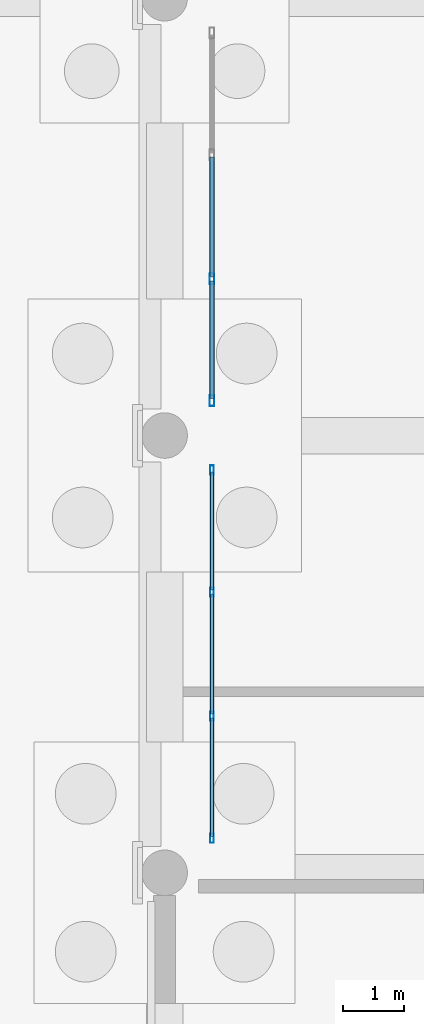
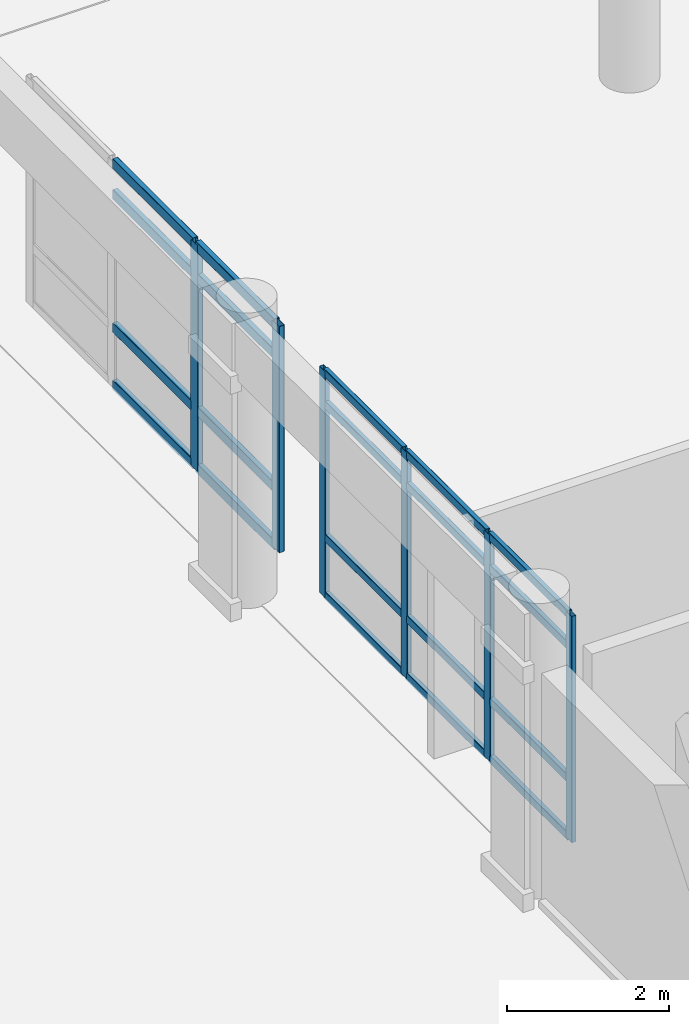
# One storey, part 70 of 196: 26 members, 2 elements without a shape of their own.
"""IFC4 building model written with IfcOpenShell, lengths in metres."""

from ifc_helpers import new_model, si_unit, direction, frame, origin, origin_2d, place, context, subcontext, project, spatial, hollow_rectangle, extrude, material, layer, layer_set, material_profile, profile_set, type_object, element, aggregate, save


model = new_model("IFC4")

# Units and contexts
model_context = context("Model", 3, precision=1e-05, world=origin(), true_north=direction((0.0, 1.0)))
body_context = subcontext(model_context, "Body", "Model", "MODEL_VIEW")
ifc_project = project(units=[si_unit("LENGTHUNIT", "METRE"), si_unit("AREAUNIT", "SQUARE_METRE"), si_unit("VOLUMEUNIT", "CUBIC_METRE"), si_unit("PLANEANGLEUNIT", "RADIAN"), si_unit("MASSUNIT", "GRAM", prefix="KILO")], contexts=[model_context])

# Site, building, storey
site_placement = place(None, origin())
site = spatial("IfcSite", under=ifc_project, at=site_placement, CompositionType="ELEMENT")
building_placement = place(site_placement, origin())
building = spatial("IfcBuilding", under=site, at=building_placement, Name="Asteropetra Specialist Clinic", CompositionType="ELEMENT")
storey_placement = place(building_placement, origin())
storey = spatial("IfcBuildingStorey", under=building, at=storey_placement, Name="L00", CompositionType="ELEMENT", Elevation=0.0)

# Curtain wall, members
ifc_material_1 = material(Name="Aluminium and low-E glass", Category="aluminium")
ifc_layer_1 = layer(ifc_material_1, 0.179931640625)
ifc_layer_set_1 = layer_set([ifc_layer_1], Name="Aluminium and low-E glass")
curtain_wall_type_1 = type_object("IfcCurtainWallType", Name="CW-SYS-01", PredefinedType="USERDEFINED", material=ifc_layer_set_1)
curtain_wall_1_placement = place(storey_placement, origin())
curtain_wall_1 = element("IfcCurtainWall", 1, at=curtain_wall_1_placement, inside=storey, type_object=curtain_wall_type_1, Name="Curtain Wall CW-199", ObjectType="UNITISED CURTAIN WALL", PredefinedType="USERDEFINED")
ifc_material_2 = material(Name="Aluminium 6063-T6", Category="aluminium")
ifc_material_profile_1 = material_profile(ifc_material_2, hollow_rectangle(XDim=0.06494140625, YDim=0.14990234375, WallThickness=0.00390625, InnerFilletRadius=0.00390625, OuterFilletRadius=0.008056640625, at=origin_2d()), Name="MUL 150x65x4.0")
ifc_profile_set_1 = profile_set([ifc_material_profile_1], Name="Aluminium 6063-T6")
member_type_1 = type_object("IfcMemberType", Name="CWM-150x65", PredefinedType="MULLION", material=ifc_profile_set_1)
member_1_placement = place(storey_placement, frame((106.3798828125, 25.83251953125, 0.0), z_axis=(0.0, 0.0, 1.0), x_axis=(1.0, 0.0, 0.0)))
member_1 = element("IfcMember", 2, at=member_1_placement, type_object=member_type_1, Name="CW-199 mullion 1", PredefinedType="MULLION", context=body_context, shape_type="SweptSolid", body=[
    extrude(hollow_rectangle(XDim=0.06494140625, YDim=0.14990234375, WallThickness=0.00390625, InnerFilletRadius=0.00390625, OuterFilletRadius=0.008056640625, at=origin_2d()), origin(), (0.0, 0.0, 1.0), 3.39990234375),
])
member_2_placement = place(storey_placement, frame((106.3798828125, 23.82177734375, 0.0), z_axis=(0.0, 0.0, 1.0), x_axis=(1.0, 0.0, 0.0)))
member_2 = element("IfcMember", 3, at=member_2_placement, type_object=member_type_1, Name="CW-199 mullion 2", PredefinedType="MULLION", context=body_context, shape_type="SweptSolid", body=[
    extrude(hollow_rectangle(XDim=0.06494140625, YDim=0.14990234375, WallThickness=0.00390625, InnerFilletRadius=0.00390625, OuterFilletRadius=0.008056640625, at=origin_2d()), origin(), (0.0, 0.0, 1.0), 3.39990234375),
])
member_3_placement = place(storey_placement, frame((106.3798828125, 21.7783203125, 0.0), z_axis=(0.0, 0.0, 1.0), x_axis=(1.0, 0.0, 0.0)))
member_3 = element("IfcMember", 4, at=member_3_placement, type_object=member_type_1, Name="CW-199 mullion 3", PredefinedType="MULLION", context=body_context, shape_type="SweptSolid", body=[
    extrude(hollow_rectangle(XDim=0.06494140625, YDim=0.14990234375, WallThickness=0.00390625, InnerFilletRadius=0.00390625, OuterFilletRadius=0.008056640625, at=origin_2d()), origin(), (0.0, 0.0, 1.0), 3.39990234375),
])
member_4_placement = place(storey_placement, frame((106.3798828125, 19.767578125, 0.0), z_axis=(0.0, 0.0, 1.0), x_axis=(1.0, 0.0, 0.0)))
member_4 = element("IfcMember", 5, at=member_4_placement, type_object=member_type_1, Name="CW-199 mullion 4", PredefinedType="MULLION", context=body_context, shape_type="SweptSolid", body=[
    extrude(hollow_rectangle(XDim=0.06494140625, YDim=0.14990234375, WallThickness=0.00390625, InnerFilletRadius=0.00390625, OuterFilletRadius=0.008056640625, at=origin_2d()), origin(), (0.0, 0.0, 1.0), 3.39990234375),
])

ifc_material_3 = material(Name="Aluminium and low-E glass", Category="aluminium")
ifc_layer_2 = layer(ifc_material_3, 0.135009765625)
ifc_layer_set_2 = layer_set([ifc_layer_2], Name="Aluminium and low-E glass")
curtain_wall_type_2 = type_object("IfcCurtainWallType", Name="CW-SYS-12", PredefinedType="USERDEFINED", material=ifc_layer_set_2)
curtain_wall_2_placement = place(storey_placement, origin())
curtain_wall_2 = element("IfcCurtainWall", 6, at=curtain_wall_2_placement, inside=storey, type_object=curtain_wall_type_2, Name="Curtain Wall CW-201", ObjectType="STICK GLAZED COLONNADE", PredefinedType="USERDEFINED")
ifc_material_4 = material(Name="Aluminium 6063-T6", Category="aluminium")
ifc_material_profile_2 = material_profile(ifc_material_4, hollow_rectangle(XDim=0.074951171875, YDim=0.179931640625, WallThickness=0.00390625, InnerFilletRadius=0.00390625, OuterFilletRadius=0.008056640625, at=origin_2d()), Name="MUL 180x75x4.0")
ifc_profile_set_2 = profile_set([ifc_material_profile_2], Name="Aluminium 6063-T6")
member_type_2 = type_object("IfcMemberType", Name="CWM-180x75", PredefinedType="MULLION", material=ifc_profile_set_2)
member_5_placement = place(storey_placement, frame((106.3798828125, 28.978271484375, 0.0), z_axis=(0.0, 0.0, 1.0), x_axis=(1.0, 0.0, 0.0)))
member_5 = element("IfcMember", 7, at=member_5_placement, type_object=member_type_2, Name="CW-201 mullion 3", PredefinedType="MULLION", context=body_context, shape_type="SweptSolid", body=[
    extrude(hollow_rectangle(XDim=0.074951171875, YDim=0.179931640625, WallThickness=0.00390625, InnerFilletRadius=0.00390625, OuterFilletRadius=0.008056640625, at=origin_2d()), origin(), (0.0, 0.0, 1.0), 3.39990234375),
])
member_6_placement = place(storey_placement, frame((106.3798828125, 26.972412109375, 0.0), z_axis=(0.0, 0.0, 1.0), x_axis=(1.0, 0.0, 0.0)))
member_6 = element("IfcMember", 8, at=member_6_placement, type_object=member_type_2, Name="CW-201 mullion 4", PredefinedType="MULLION", context=body_context, shape_type="SweptSolid", body=[
    extrude(hollow_rectangle(XDim=0.074951171875, YDim=0.179931640625, WallThickness=0.00390625, InnerFilletRadius=0.00390625, OuterFilletRadius=0.008056640625, at=origin_2d()), origin(), (0.0, 0.0, 1.0), 3.39990234375),
])

# Member
ifc_material_5 = material(Name="Aluminium 6063-T6", Category="aluminium")
ifc_material_profile_3 = material_profile(ifc_material_5, hollow_rectangle(XDim=0.06494140625, YDim=0.1201171875, WallThickness=0.00390625, InnerFilletRadius=0.00390625, OuterFilletRadius=0.008056640625, at=origin_2d()), Name="TRN 120x65x4.0")
ifc_profile_set_3 = profile_set([ifc_material_profile_3], Name="Aluminium 6063-T6")
member_type_3 = type_object("IfcMemberType", Name="CWT-120x65", PredefinedType="USERDEFINED", material=ifc_profile_set_3)
member_7_placement = place(storey_placement, frame((106.3798828125, 25.800048828125, 0.032470703125), z_axis=(0.0, -1.0, 0.0), x_axis=(1.0, 0.0, 0.0)))
member_7 = element("IfcMember", 9, at=member_7_placement, type_object=member_type_3, Name="CW-199 transom 1.1", ObjectType="TRANSOM", PredefinedType="USERDEFINED", context=body_context, shape_type="SweptSolid", body=[
    extrude(hollow_rectangle(XDim=0.06494140625, YDim=0.1201171875, WallThickness=0.00390625, InnerFilletRadius=0.00390625, OuterFilletRadius=0.008056640625, at=origin_2d()), origin(), (0.0, 0.0, 1.0), 1.94580078125),
])

member_8_placement = place(storey_placement, frame((106.3798828125, 25.800048828125, 0.89990234375), z_axis=(0.0, -1.0, 0.0), x_axis=(1.0, 0.0, 0.0)))
member_8 = element("IfcMember", 10, at=member_8_placement, type_object=member_type_3, Name="CW-199 transom 1.2", ObjectType="TRANSOM", PredefinedType="USERDEFINED", context=body_context, shape_type="SweptSolid", body=[
    extrude(hollow_rectangle(XDim=0.06494140625, YDim=0.1201171875, WallThickness=0.00390625, InnerFilletRadius=0.00390625, OuterFilletRadius=0.008056640625, at=origin_2d()), origin(), (0.0, 0.0, 1.0), 1.94580078125),
])

member_9_placement = place(storey_placement, frame((106.3798828125, 25.800048828125, 2.89990234375), z_axis=(0.0, -1.0, 0.0), x_axis=(1.0, 0.0, 0.0)))
member_9 = element("IfcMember", 11, at=member_9_placement, type_object=member_type_3, Name="CW-199 transom 1.3", ObjectType="TRANSOM", PredefinedType="USERDEFINED", context=body_context, shape_type="SweptSolid", body=[
    extrude(hollow_rectangle(XDim=0.06494140625, YDim=0.1201171875, WallThickness=0.00390625, InnerFilletRadius=0.00390625, OuterFilletRadius=0.008056640625, at=origin_2d()), origin(), (0.0, 0.0, 1.0), 1.94580078125),
])

member_10_placement = place(storey_placement, frame((106.3798828125, 25.800048828125, 3.367431640625), z_axis=(0.0, -1.0, 0.0), x_axis=(1.0, 0.0, 0.0)))
member_10 = element("IfcMember", 12, at=member_10_placement, type_object=member_type_3, Name="CW-199 transom 1.4", ObjectType="TRANSOM", PredefinedType="USERDEFINED", context=body_context, shape_type="SweptSolid", body=[
    extrude(hollow_rectangle(XDim=0.06494140625, YDim=0.1201171875, WallThickness=0.00390625, InnerFilletRadius=0.00390625, OuterFilletRadius=0.008056640625, at=origin_2d()), origin(), (0.0, 0.0, 1.0), 1.94580078125),
])

member_11_placement = place(storey_placement, frame((106.3798828125, 23.7890625, 0.032470703125), z_axis=(0.0, -1.0, 0.0), x_axis=(1.0, 0.0, 0.0)))
member_11 = element("IfcMember", 13, at=member_11_placement, type_object=member_type_3, Name="CW-199 transom 2.1", ObjectType="TRANSOM", PredefinedType="USERDEFINED", context=body_context, shape_type="SweptSolid", body=[
    extrude(hollow_rectangle(XDim=0.06494140625, YDim=0.1201171875, WallThickness=0.00390625, InnerFilletRadius=0.00390625, OuterFilletRadius=0.008056640625, at=origin_2d()), origin(), (0.0, 0.0, 1.0), 1.978271484375),
])

member_12_placement = place(storey_placement, frame((106.3798828125, 23.7890625, 0.89990234375), z_axis=(0.0, -1.0, 0.0), x_axis=(1.0, 0.0, 0.0)))
member_12 = element("IfcMember", 14, at=member_12_placement, type_object=member_type_3, Name="CW-199 transom 2.2", ObjectType="TRANSOM", PredefinedType="USERDEFINED", context=body_context, shape_type="SweptSolid", body=[
    extrude(hollow_rectangle(XDim=0.06494140625, YDim=0.1201171875, WallThickness=0.00390625, InnerFilletRadius=0.00390625, OuterFilletRadius=0.008056640625, at=origin_2d()), origin(), (0.0, 0.0, 1.0), 1.978271484375),
])

member_13_placement = place(storey_placement, frame((106.3798828125, 23.7890625, 2.89990234375), z_axis=(0.0, -1.0, 0.0), x_axis=(1.0, 0.0, 0.0)))
member_13 = element("IfcMember", 15, at=member_13_placement, type_object=member_type_3, Name="CW-199 transom 2.3", ObjectType="TRANSOM", PredefinedType="USERDEFINED", context=body_context, shape_type="SweptSolid", body=[
    extrude(hollow_rectangle(XDim=0.06494140625, YDim=0.1201171875, WallThickness=0.00390625, InnerFilletRadius=0.00390625, OuterFilletRadius=0.008056640625, at=origin_2d()), origin(), (0.0, 0.0, 1.0), 1.978271484375),
])

member_14_placement = place(storey_placement, frame((106.3798828125, 23.7890625, 3.367431640625), z_axis=(0.0, -1.0, 0.0), x_axis=(1.0, 0.0, 0.0)))
member_14 = element("IfcMember", 16, at=member_14_placement, type_object=member_type_3, Name="CW-199 transom 2.4", ObjectType="TRANSOM", PredefinedType="USERDEFINED", context=body_context, shape_type="SweptSolid", body=[
    extrude(hollow_rectangle(XDim=0.06494140625, YDim=0.1201171875, WallThickness=0.00390625, InnerFilletRadius=0.00390625, OuterFilletRadius=0.008056640625, at=origin_2d()), origin(), (0.0, 0.0, 1.0), 1.978271484375),
])

member_15_placement = place(storey_placement, frame((106.3798828125, 21.745849609375, 0.032470703125), z_axis=(0.0, -1.0, 0.0), x_axis=(1.0, 0.0, 0.0)))
member_15 = element("IfcMember", 17, at=member_15_placement, type_object=member_type_3, Name="CW-199 transom 3.1", ObjectType="TRANSOM", PredefinedType="USERDEFINED", context=body_context, shape_type="SweptSolid", body=[
    extrude(hollow_rectangle(XDim=0.06494140625, YDim=0.1201171875, WallThickness=0.00390625, InnerFilletRadius=0.00390625, OuterFilletRadius=0.008056640625, at=origin_2d()), origin(), (0.0, 0.0, 1.0), 1.94580078125),
])

member_16_placement = place(storey_placement, frame((106.3798828125, 21.745849609375, 0.89990234375), z_axis=(0.0, -1.0, 0.0), x_axis=(1.0, 0.0, 0.0)))
member_16 = element("IfcMember", 18, at=member_16_placement, type_object=member_type_3, Name="CW-199 transom 3.2", ObjectType="TRANSOM", PredefinedType="USERDEFINED", context=body_context, shape_type="SweptSolid", body=[
    extrude(hollow_rectangle(XDim=0.06494140625, YDim=0.1201171875, WallThickness=0.00390625, InnerFilletRadius=0.00390625, OuterFilletRadius=0.008056640625, at=origin_2d()), origin(), (0.0, 0.0, 1.0), 1.94580078125),
])

member_17_placement = place(storey_placement, frame((106.3798828125, 21.745849609375, 2.89990234375), z_axis=(0.0, -1.0, 0.0), x_axis=(1.0, 0.0, 0.0)))
member_17 = element("IfcMember", 19, at=member_17_placement, type_object=member_type_3, Name="CW-199 transom 3.3", ObjectType="TRANSOM", PredefinedType="USERDEFINED", context=body_context, shape_type="SweptSolid", body=[
    extrude(hollow_rectangle(XDim=0.06494140625, YDim=0.1201171875, WallThickness=0.00390625, InnerFilletRadius=0.00390625, OuterFilletRadius=0.008056640625, at=origin_2d()), origin(), (0.0, 0.0, 1.0), 1.94580078125),
])

member_18_placement = place(storey_placement, frame((106.3798828125, 21.745849609375, 3.367431640625), z_axis=(0.0, -1.0, 0.0), x_axis=(1.0, 0.0, 0.0)))
member_18 = element("IfcMember", 20, at=member_18_placement, type_object=member_type_3, Name="CW-199 transom 3.4", ObjectType="TRANSOM", PredefinedType="USERDEFINED", context=body_context, shape_type="SweptSolid", body=[
    extrude(hollow_rectangle(XDim=0.06494140625, YDim=0.1201171875, WallThickness=0.00390625, InnerFilletRadius=0.00390625, OuterFilletRadius=0.008056640625, at=origin_2d()), origin(), (0.0, 0.0, 1.0), 1.94580078125),
])

aggregate(curtain_wall_1, [member_1, member_2, member_3, member_4, member_7, member_8, member_9, member_10, member_11, member_12, member_13, member_14, member_15, member_16, member_17, member_18])

ifc_material_6 = material(Name="Aluminium 6063-T6", Category="aluminium")
ifc_material_profile_4 = material_profile(ifc_material_6, hollow_rectangle(XDim=0.074951171875, YDim=0.14990234375, WallThickness=0.00390625, InnerFilletRadius=0.00390625, OuterFilletRadius=0.008056640625, at=origin_2d()), Name="TRN 150x75x4.0")
ifc_profile_set_4 = profile_set([ifc_material_profile_4], Name="Aluminium 6063-T6")
member_type_4 = type_object("IfcMemberType", Name="CWT-150x75", PredefinedType="USERDEFINED", material=ifc_profile_set_4)
member_19_placement = place(storey_placement, frame((106.3798828125, 30.984130859375, 0.03759765625), z_axis=(0.0, -1.0, 0.0), x_axis=(1.0, 0.0, 0.0)))
member_19 = element("IfcMember", 21, at=member_19_placement, type_object=member_type_4, Name="CW-201 transom 2.1", ObjectType="TRANSOM", PredefinedType="USERDEFINED", context=body_context, shape_type="SweptSolid", body=[
    extrude(hollow_rectangle(XDim=0.074951171875, YDim=0.14990234375, WallThickness=0.00390625, InnerFilletRadius=0.00390625, OuterFilletRadius=0.008056640625, at=origin_2d()), origin(), (0.0, 0.0, 1.0), 1.96826171875),
])

member_20_placement = place(storey_placement, frame((106.3798828125, 30.984130859375, 0.89990234375), z_axis=(0.0, -1.0, 0.0), x_axis=(1.0, 0.0, 0.0)))
member_20 = element("IfcMember", 22, at=member_20_placement, type_object=member_type_4, Name="CW-201 transom 2.2", ObjectType="TRANSOM", PredefinedType="USERDEFINED", context=body_context, shape_type="SweptSolid", body=[
    extrude(hollow_rectangle(XDim=0.074951171875, YDim=0.14990234375, WallThickness=0.00390625, InnerFilletRadius=0.00390625, OuterFilletRadius=0.008056640625, at=origin_2d()), origin(), (0.0, 0.0, 1.0), 1.96826171875),
])

member_21_placement = place(storey_placement, frame((106.3798828125, 30.984130859375, 2.89990234375), z_axis=(0.0, -1.0, 0.0), x_axis=(1.0, 0.0, 0.0)))
member_21 = element("IfcMember", 23, at=member_21_placement, type_object=member_type_4, Name="CW-201 transom 2.3", ObjectType="TRANSOM", PredefinedType="USERDEFINED", context=body_context, shape_type="SweptSolid", body=[
    extrude(hollow_rectangle(XDim=0.074951171875, YDim=0.14990234375, WallThickness=0.00390625, InnerFilletRadius=0.00390625, OuterFilletRadius=0.008056640625, at=origin_2d()), origin(), (0.0, 0.0, 1.0), 1.96826171875),
])

member_22_placement = place(storey_placement, frame((106.3798828125, 30.984130859375, 3.362548828125), z_axis=(0.0, -1.0, 0.0), x_axis=(1.0, 0.0, 0.0)))
member_22 = element("IfcMember", 24, at=member_22_placement, type_object=member_type_4, Name="CW-201 transom 2.4", ObjectType="TRANSOM", PredefinedType="USERDEFINED", context=body_context, shape_type="SweptSolid", body=[
    extrude(hollow_rectangle(XDim=0.074951171875, YDim=0.14990234375, WallThickness=0.00390625, InnerFilletRadius=0.00390625, OuterFilletRadius=0.008056640625, at=origin_2d()), origin(), (0.0, 0.0, 1.0), 1.96826171875),
])

member_23_placement = place(storey_placement, frame((106.3798828125, 28.94091796875, 0.03759765625), z_axis=(0.0, -1.0, 0.0), x_axis=(1.0, 0.0, 0.0)))
member_23 = element("IfcMember", 25, at=member_23_placement, type_object=member_type_4, Name="CW-201 transom 3.1", ObjectType="TRANSOM", PredefinedType="USERDEFINED", context=body_context, shape_type="SweptSolid", body=[
    extrude(hollow_rectangle(XDim=0.074951171875, YDim=0.14990234375, WallThickness=0.00390625, InnerFilletRadius=0.00390625, OuterFilletRadius=0.008056640625, at=origin_2d()), origin(), (0.0, 0.0, 1.0), 1.930908203125),
])

member_24_placement = place(storey_placement, frame((106.3798828125, 28.94091796875, 0.89990234375), z_axis=(0.0, -1.0, 0.0), x_axis=(1.0, 0.0, 0.0)))
member_24 = element("IfcMember", 26, at=member_24_placement, type_object=member_type_4, Name="CW-201 transom 3.2", ObjectType="TRANSOM", PredefinedType="USERDEFINED", context=body_context, shape_type="SweptSolid", body=[
    extrude(hollow_rectangle(XDim=0.074951171875, YDim=0.14990234375, WallThickness=0.00390625, InnerFilletRadius=0.00390625, OuterFilletRadius=0.008056640625, at=origin_2d()), origin(), (0.0, 0.0, 1.0), 1.930908203125),
])

member_25_placement = place(storey_placement, frame((106.3798828125, 28.94091796875, 2.89990234375), z_axis=(0.0, -1.0, 0.0), x_axis=(1.0, 0.0, 0.0)))
member_25 = element("IfcMember", 27, at=member_25_placement, type_object=member_type_4, Name="CW-201 transom 3.3", ObjectType="TRANSOM", PredefinedType="USERDEFINED", context=body_context, shape_type="SweptSolid", body=[
    extrude(hollow_rectangle(XDim=0.074951171875, YDim=0.14990234375, WallThickness=0.00390625, InnerFilletRadius=0.00390625, OuterFilletRadius=0.008056640625, at=origin_2d()), origin(), (0.0, 0.0, 1.0), 1.930908203125),
])

member_26_placement = place(storey_placement, frame((106.3798828125, 28.94091796875, 3.362548828125), z_axis=(0.0, -1.0, 0.0), x_axis=(1.0, 0.0, 0.0)))
member_26 = element("IfcMember", 28, at=member_26_placement, type_object=member_type_4, Name="CW-201 transom 3.4", ObjectType="TRANSOM", PredefinedType="USERDEFINED", context=body_context, shape_type="SweptSolid", body=[
    extrude(hollow_rectangle(XDim=0.074951171875, YDim=0.14990234375, WallThickness=0.00390625, InnerFilletRadius=0.00390625, OuterFilletRadius=0.008056640625, at=origin_2d()), origin(), (0.0, 0.0, 1.0), 1.930908203125),
])

aggregate(curtain_wall_2, [member_5, member_6, member_19, member_20, member_21, member_22, member_23, member_24, member_25, member_26])

save(model, "model.ifc")
